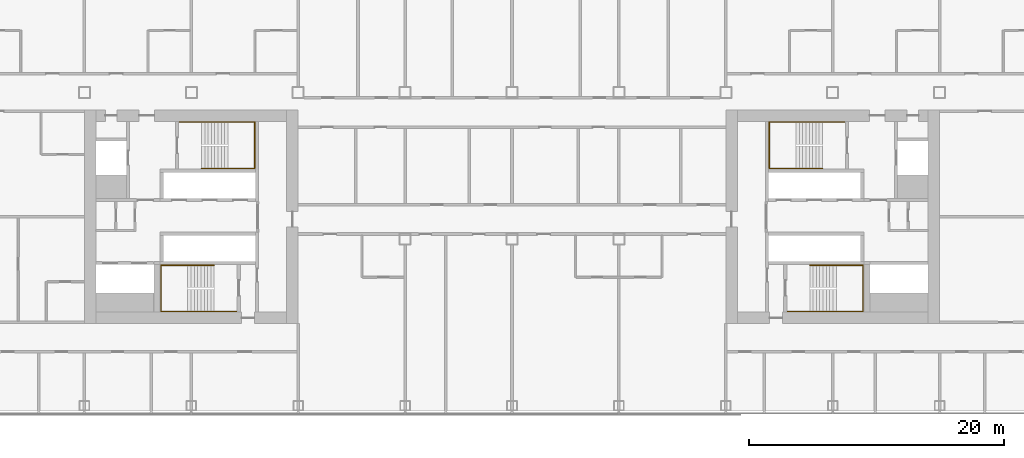
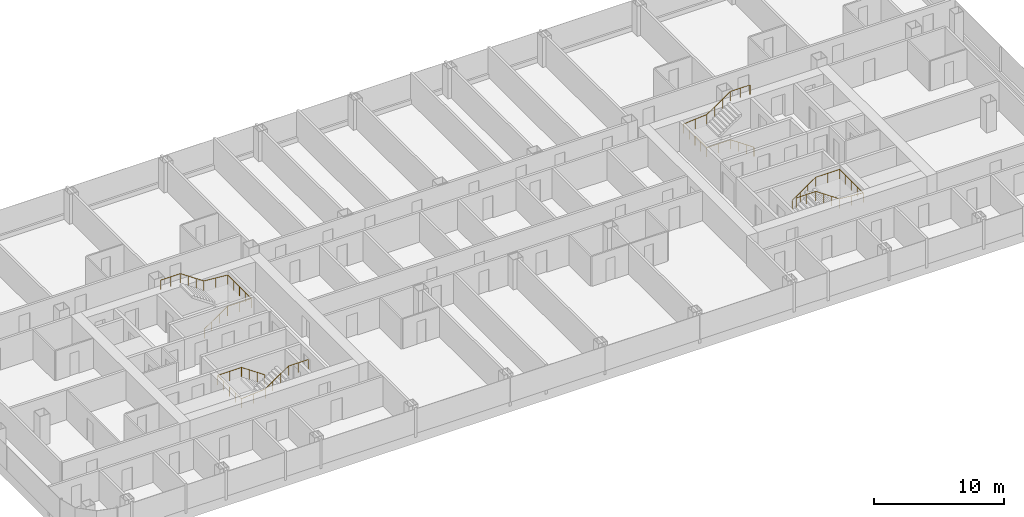
# One storey, part 29 of 29: 4 railings.
"""IFC4 building model written with IfcOpenShell, lengths in metres."""

from ifc_helpers import new_model, si_unit, direction, frame, origin, origin_2d, place, context, subcontext, project, spatial, circle, extrude, material, type_object, element, save


model = new_model("IFC4")

# Units and contexts
model_context = context("Model", 3, precision=1e-05, world=origin(), true_north=direction((0.0, 1.0)))
body_context = subcontext(model_context, "Body", "Model", "MODEL_VIEW")
ifc_project = project(units=[si_unit("LENGTHUNIT", "METRE"), si_unit("AREAUNIT", "SQUARE_METRE"), si_unit("VOLUMEUNIT", "CUBIC_METRE"), si_unit("PLANEANGLEUNIT", "RADIAN"), si_unit("MASSUNIT", "GRAM", prefix="KILO")], contexts=[model_context])

# Site, building, storey
site_placement = place(None, origin())
site = spatial("IfcSite", under=ifc_project, at=site_placement, CompositionType="ELEMENT")
building_placement = place(site_placement, origin())
building = spatial("IfcBuilding", under=site, at=building_placement, Name="Hakoniwa Tower and Hamabe Station Hall", CompositionType="ELEMENT")
storey_placement = place(building_placement, frame((0.0, 0.0, 91.39990234375)))
storey = spatial("IfcBuildingStorey", under=building, at=storey_placement, Name="L25", CompositionType="ELEMENT", Elevation=91.39990234375)

# Railings
ifc_material = material(Name="Stainless steel SUS304", Category="steel")
railing_type = type_object("IfcRailingType", Name="STAIR HANDRAIL 900", PredefinedType="HANDRAIL", material=ifc_material)
railing_1_placement = place(storey_placement, frame((-24.39990234375, 3.81005859375, 0.177978515625)))
element("IfcRailing", 1, at=railing_1_placement, inside=storey, type_object=railing_type, Name="Handrail ST-1 L25 1", PredefinedType="HANDRAIL", context=body_context, shape_type="SweptSolid", body=[
    extrude(circle(Radius=0.02392578125, at=origin_2d()), frame((0.0, 0.0, 0.8759765625), z_axis=(0.825478349766, 0.0, 0.564433781827), x_axis=(0.0, 1.0, 0.0)), (0.0, 0.0, 1.0), 2.51953125),
    extrude(circle(Radius=0.02392578125, at=origin_2d()), frame((2.079833984375, 0.0, 2.2978515625), z_axis=(1.0, 0.0, 0.0), x_axis=(0.0, 1.0, 0.0)), (0.0, 0.0, 1.0), 2.110107421875),
    extrude(circle(Radius=0.02392578125, at=origin_2d()), frame((4.18994140625, 0.0, 2.2978515625), z_axis=(0.0, 1.0, 0.0), x_axis=(-1.0, 0.0, 0.0)), (0.0, 0.0, 1.0), 3.6298828125),
    extrude(circle(Radius=0.02392578125, at=origin_2d()), frame((4.18994140625, 3.6298828125, 2.2978515625), z_axis=(-0.996471417081, 0.0, 0.083932800143), x_axis=(0.0, -1.0, 0.0)), (0.0, 0.0, 1.0), 2.11767578125),
    extrude(circle(Radius=0.02392578125, at=origin_2d()), frame((2.079833984375, 3.6298828125, 2.4755859375), z_axis=(-0.825433201882, 0.0, 0.564499804456), x_axis=(0.0, -1.0, 0.0)), (0.0, 0.0, 1.0), 2.519775390625),
    extrude(circle(Radius=0.02392578125, at=origin_2d()), frame((0.0, 3.6298828125, 3.89794921875), z_axis=(-1.0, 0.0, 0.0), x_axis=(0.0, -1.0, 0.0)), (0.0, 0.0, 1.0), 1.739990234375),
    extrude(circle(Radius=0.02099609375, at=origin_2d()), origin(), (0.0, 0.0, 1.0), 0.851806640625),
    extrude(circle(Radius=0.02099609375, at=origin_2d()), frame((0.693359375, 0.0, 0.47412109375)), (0.0, 0.0, 1.0), 0.851806640625),
    extrude(circle(Radius=0.02099609375, at=origin_2d()), frame((1.386474609375, 0.0, 0.947998046875)), (0.0, 0.0, 1.0), 0.851806640625),
    extrude(circle(Radius=0.02099609375, at=origin_2d()), frame((2.079833984375, 0.0, 1.422119140625)), (0.0, 0.0, 1.0), 0.851806640625),
    extrude(circle(Radius=0.02099609375, at=origin_2d()), frame((3.134765625, 0.0, 1.422119140625)), (0.0, 0.0, 1.0), 0.851806640625),
    extrude(circle(Radius=0.02099609375, at=origin_2d()), frame((4.18994140625, 0.0, 1.422119140625)), (0.0, 0.0, 1.0), 0.851806640625),
    extrude(circle(Radius=0.02099609375, at=origin_2d()), frame((4.18994140625, 0.907470703125, 1.422119140625)), (0.0, 0.0, 1.0), 0.851806640625),
    extrude(circle(Radius=0.02099609375, at=origin_2d()), frame((4.18994140625, 1.81494140625, 1.422119140625)), (0.0, 0.0, 1.0), 0.851806640625),
    extrude(circle(Radius=0.02099609375, at=origin_2d()), frame((4.18994140625, 2.722412109375, 1.422119140625)), (0.0, 0.0, 1.0), 0.851806640625),
    extrude(circle(Radius=0.02099609375, at=origin_2d()), frame((4.18994140625, 3.6298828125, 1.422119140625)), (0.0, 0.0, 1.0), 0.851806640625),
    extrude(circle(Radius=0.02099609375, at=origin_2d()), frame((3.134765625, 3.6298828125, 1.510986328125)), (0.0, 0.0, 1.0), 0.851806640625),
    extrude(circle(Radius=0.02099609375, at=origin_2d()), frame((2.079833984375, 3.6298828125, 1.599853515625)), (0.0, 0.0, 1.0), 0.851806640625),
    extrude(circle(Radius=0.02099609375, at=origin_2d()), frame((1.386474609375, 3.6298828125, 2.073974609375)), (0.0, 0.0, 1.0), 0.851806640625),
    extrude(circle(Radius=0.02099609375, at=origin_2d()), frame((0.693359375, 3.6298828125, 2.548095703125)), (0.0, 0.0, 1.0), 0.851806640625),
    extrude(circle(Radius=0.02099609375, at=origin_2d()), frame((0.0, 3.6298828125, 3.022216796875)), (0.0, 0.0, 1.0), 0.851806640625),
    extrude(circle(Radius=0.02099609375, at=origin_2d()), frame((-0.8701171875, 3.6298828125, 3.022216796875)), (0.0, 0.0, 1.0), 0.851806640625),
    extrude(circle(Radius=0.02099609375, at=origin_2d()), frame((-1.739990234375, 3.6298828125, 3.022216796875)), (0.0, 0.0, 1.0), 0.851806640625),
])
railing_2_placement = place(storey_placement, frame((-23.39990234375, -3.81005859375, 0.177978515625)))
element("IfcRailing", 2, at=railing_2_placement, inside=storey, type_object=railing_type, Name="Handrail ST-2 L25 1", PredefinedType="HANDRAIL", context=body_context, shape_type="SweptSolid", body=[
    extrude(circle(Radius=0.02392578125, at=origin_2d()), frame((0.0, 0.0, 0.8759765625), z_axis=(-0.82550921652, 0.0, 0.564388636881), x_axis=(0.0, -1.0, 0.0)), (0.0, 0.0, 1.0), 2.519775390625),
    extrude(circle(Radius=0.02392578125, at=origin_2d()), frame((-2.080078125, 0.0, 2.2978515625), z_axis=(-1.0, 0.0, 0.0), x_axis=(0.0, -1.0, 0.0)), (0.0, 0.0, 1.0), 2.110107421875),
    extrude(circle(Radius=0.02392578125, at=origin_2d()), frame((-4.190185546875, 0.0, 2.2978515625), z_axis=(0.0, -1.0, 0.0), x_axis=(1.0, 0.0, 0.0)), (0.0, 0.0, 1.0), 3.6298828125),
    extrude(circle(Radius=0.02392578125, at=origin_2d()), frame((-4.190185546875, -3.6298828125, 2.2978515625), z_axis=(0.996471417081, 0.0, 0.083932800143), x_axis=(0.0, 1.0, 0.0)), (0.0, 0.0, 1.0), 2.11767578125),
    extrude(circle(Radius=0.02392578125, at=origin_2d()), frame((-2.080078125, -3.6298828125, 2.4755859375), z_axis=(0.825464074169, 0.0, 0.564454659168), x_axis=(0.0, 1.0, 0.0)), (0.0, 0.0, 1.0), 2.519775390625),
    extrude(circle(Radius=0.02392578125, at=origin_2d()), frame((0.0, -3.6298828125, 3.89794921875), z_axis=(1.0, 0.0, 0.0), x_axis=(0.0, 1.0, 0.0)), (0.0, 0.0, 1.0), 1.739990234375),
    extrude(circle(Radius=0.02099609375, at=origin_2d()), origin(), (0.0, 0.0, 1.0), 0.851806640625),
    extrude(circle(Radius=0.02099609375, at=origin_2d()), frame((-0.693359375, 0.0, 0.47412109375)), (0.0, 0.0, 1.0), 0.851806640625),
    extrude(circle(Radius=0.02099609375, at=origin_2d()), frame((-1.38671875, 0.0, 0.947998046875)), (0.0, 0.0, 1.0), 0.851806640625),
    extrude(circle(Radius=0.02099609375, at=origin_2d()), frame((-2.080078125, 0.0, 1.422119140625)), (0.0, 0.0, 1.0), 0.851806640625),
    extrude(circle(Radius=0.02099609375, at=origin_2d()), frame((-3.13525390625, 0.0, 1.422119140625)), (0.0, 0.0, 1.0), 0.851806640625),
    extrude(circle(Radius=0.02099609375, at=origin_2d()), frame((-4.190185546875, 0.0, 1.422119140625)), (0.0, 0.0, 1.0), 0.851806640625),
    extrude(circle(Radius=0.02099609375, at=origin_2d()), frame((-4.190185546875, -0.907470703125, 1.422119140625)), (0.0, 0.0, 1.0), 0.851806640625),
    extrude(circle(Radius=0.02099609375, at=origin_2d()), frame((-4.190185546875, -1.81494140625, 1.422119140625)), (0.0, 0.0, 1.0), 0.851806640625),
    extrude(circle(Radius=0.02099609375, at=origin_2d()), frame((-4.190185546875, -2.722412109375, 1.422119140625)), (0.0, 0.0, 1.0), 0.851806640625),
    extrude(circle(Radius=0.02099609375, at=origin_2d()), frame((-4.190185546875, -3.6298828125, 1.422119140625)), (0.0, 0.0, 1.0), 0.851806640625),
    extrude(circle(Radius=0.02099609375, at=origin_2d()), frame((-3.13525390625, -3.6298828125, 1.510986328125)), (0.0, 0.0, 1.0), 0.851806640625),
    extrude(circle(Radius=0.02099609375, at=origin_2d()), frame((-2.080078125, -3.6298828125, 1.599853515625)), (0.0, 0.0, 1.0), 0.851806640625),
    extrude(circle(Radius=0.02099609375, at=origin_2d()), frame((-1.38671875, -3.6298828125, 2.073974609375)), (0.0, 0.0, 1.0), 0.851806640625),
    extrude(circle(Radius=0.02099609375, at=origin_2d()), frame((-0.693359375, -3.6298828125, 2.548095703125)), (0.0, 0.0, 1.0), 0.851806640625),
    extrude(circle(Radius=0.02099609375, at=origin_2d()), frame((0.0, -3.6298828125, 3.022216796875)), (0.0, 0.0, 1.0), 0.851806640625),
    extrude(circle(Radius=0.02099609375, at=origin_2d()), frame((0.8701171875, -3.6298828125, 3.022216796875)), (0.0, 0.0, 1.0), 0.851806640625),
    extrude(circle(Radius=0.02099609375, at=origin_2d()), frame((1.739990234375, -3.6298828125, 3.022216796875)), (0.0, 0.0, 1.0), 0.851806640625),
])
railing_3_placement = place(storey_placement, frame((24.39990234375, 3.81005859375, 0.177978515625)))
element("IfcRailing", 3, at=railing_3_placement, inside=storey, type_object=railing_type, Name="Handrail ST-3 L25 1", PredefinedType="HANDRAIL", context=body_context, shape_type="SweptSolid", body=[
    extrude(circle(Radius=0.02392578125, at=origin_2d()), frame((0.0, 0.0, 0.8759765625), z_axis=(-0.825478349766, 0.0, 0.564433781827), x_axis=(0.0, -1.0, 0.0)), (0.0, 0.0, 1.0), 2.51953125),
    extrude(circle(Radius=0.02392578125, at=origin_2d()), frame((-2.079833984375, 0.0, 2.2978515625), z_axis=(-1.0, 0.0, 0.0), x_axis=(0.0, -1.0, 0.0)), (0.0, 0.0, 1.0), 2.110107421875),
    extrude(circle(Radius=0.02392578125, at=origin_2d()), frame((-4.18994140625, 0.0, 2.2978515625), z_axis=(0.0, 1.0, 0.0), x_axis=(-1.0, 0.0, 0.0)), (0.0, 0.0, 1.0), 3.6298828125),
    extrude(circle(Radius=0.02392578125, at=origin_2d()), frame((-4.18994140625, 3.6298828125, 2.2978515625), z_axis=(0.996471417081, 0.0, 0.083932800143), x_axis=(0.0, 1.0, 0.0)), (0.0, 0.0, 1.0), 2.11767578125),
    extrude(circle(Radius=0.02392578125, at=origin_2d()), frame((-2.079833984375, 3.6298828125, 2.4755859375), z_axis=(0.825433201882, 0.0, 0.564499804456), x_axis=(0.0, 1.0, 0.0)), (0.0, 0.0, 1.0), 2.519775390625),
    extrude(circle(Radius=0.02392578125, at=origin_2d()), frame((0.0, 3.6298828125, 3.89794921875), z_axis=(1.0, 0.0, 0.0), x_axis=(0.0, 1.0, 0.0)), (0.0, 0.0, 1.0), 1.739990234375),
    extrude(circle(Radius=0.02099609375, at=origin_2d()), origin(), (0.0, 0.0, 1.0), 0.851806640625),
    extrude(circle(Radius=0.02099609375, at=origin_2d()), frame((-0.693359375, 0.0, 0.47412109375)), (0.0, 0.0, 1.0), 0.851806640625),
    extrude(circle(Radius=0.02099609375, at=origin_2d()), frame((-1.386474609375, 0.0, 0.947998046875)), (0.0, 0.0, 1.0), 0.851806640625),
    extrude(circle(Radius=0.02099609375, at=origin_2d()), frame((-2.079833984375, 0.0, 1.422119140625)), (0.0, 0.0, 1.0), 0.851806640625),
    extrude(circle(Radius=0.02099609375, at=origin_2d()), frame((-3.134765625, 0.0, 1.422119140625)), (0.0, 0.0, 1.0), 0.851806640625),
    extrude(circle(Radius=0.02099609375, at=origin_2d()), frame((-4.18994140625, 0.0, 1.422119140625)), (0.0, 0.0, 1.0), 0.851806640625),
    extrude(circle(Radius=0.02099609375, at=origin_2d()), frame((-4.18994140625, 0.907470703125, 1.422119140625)), (0.0, 0.0, 1.0), 0.851806640625),
    extrude(circle(Radius=0.02099609375, at=origin_2d()), frame((-4.18994140625, 1.81494140625, 1.422119140625)), (0.0, 0.0, 1.0), 0.851806640625),
    extrude(circle(Radius=0.02099609375, at=origin_2d()), frame((-4.18994140625, 2.722412109375, 1.422119140625)), (0.0, 0.0, 1.0), 0.851806640625),
    extrude(circle(Radius=0.02099609375, at=origin_2d()), frame((-4.18994140625, 3.6298828125, 1.422119140625)), (0.0, 0.0, 1.0), 0.851806640625),
    extrude(circle(Radius=0.02099609375, at=origin_2d()), frame((-3.134765625, 3.6298828125, 1.510986328125)), (0.0, 0.0, 1.0), 0.851806640625),
    extrude(circle(Radius=0.02099609375, at=origin_2d()), frame((-2.079833984375, 3.6298828125, 1.599853515625)), (0.0, 0.0, 1.0), 0.851806640625),
    extrude(circle(Radius=0.02099609375, at=origin_2d()), frame((-1.386474609375, 3.6298828125, 2.073974609375)), (0.0, 0.0, 1.0), 0.851806640625),
    extrude(circle(Radius=0.02099609375, at=origin_2d()), frame((-0.693359375, 3.6298828125, 2.548095703125)), (0.0, 0.0, 1.0), 0.851806640625),
    extrude(circle(Radius=0.02099609375, at=origin_2d()), frame((0.0, 3.6298828125, 3.022216796875)), (0.0, 0.0, 1.0), 0.851806640625),
    extrude(circle(Radius=0.02099609375, at=origin_2d()), frame((0.8701171875, 3.6298828125, 3.022216796875)), (0.0, 0.0, 1.0), 0.851806640625),
    extrude(circle(Radius=0.02099609375, at=origin_2d()), frame((1.739990234375, 3.6298828125, 3.022216796875)), (0.0, 0.0, 1.0), 0.851806640625),
])
railing_4_placement = place(storey_placement, frame((23.39990234375, -3.81005859375, 0.177978515625)))
element("IfcRailing", 4, at=railing_4_placement, inside=storey, type_object=railing_type, Name="Handrail ST-4 L25 1", PredefinedType="HANDRAIL", context=body_context, shape_type="SweptSolid", body=[
    extrude(circle(Radius=0.02392578125, at=origin_2d()), frame((0.0, 0.0, 0.8759765625), z_axis=(0.82550921652, 0.0, 0.564388636881), x_axis=(0.0, 1.0, 0.0)), (0.0, 0.0, 1.0), 2.519775390625),
    extrude(circle(Radius=0.02392578125, at=origin_2d()), frame((2.080078125, 0.0, 2.2978515625), z_axis=(1.0, 0.0, 0.0), x_axis=(0.0, 1.0, 0.0)), (0.0, 0.0, 1.0), 2.110107421875),
    extrude(circle(Radius=0.02392578125, at=origin_2d()), frame((4.190185546875, 0.0, 2.2978515625), z_axis=(0.0, -1.0, 0.0), x_axis=(1.0, 0.0, 0.0)), (0.0, 0.0, 1.0), 3.6298828125),
    extrude(circle(Radius=0.02392578125, at=origin_2d()), frame((4.190185546875, -3.6298828125, 2.2978515625), z_axis=(-0.996471417081, 0.0, 0.083932800143), x_axis=(0.0, -1.0, 0.0)), (0.0, 0.0, 1.0), 2.11767578125),
    extrude(circle(Radius=0.02392578125, at=origin_2d()), frame((2.080078125, -3.6298828125, 2.4755859375), z_axis=(-0.825464074169, 0.0, 0.564454659168), x_axis=(0.0, -1.0, 0.0)), (0.0, 0.0, 1.0), 2.519775390625),
    extrude(circle(Radius=0.02392578125, at=origin_2d()), frame((0.0, -3.6298828125, 3.89794921875), z_axis=(-1.0, 0.0, 0.0), x_axis=(0.0, -1.0, 0.0)), (0.0, 0.0, 1.0), 1.739990234375),
    extrude(circle(Radius=0.02099609375, at=origin_2d()), origin(), (0.0, 0.0, 1.0), 0.851806640625),
    extrude(circle(Radius=0.02099609375, at=origin_2d()), frame((0.693359375, 0.0, 0.47412109375)), (0.0, 0.0, 1.0), 0.851806640625),
    extrude(circle(Radius=0.02099609375, at=origin_2d()), frame((1.38671875, 0.0, 0.947998046875)), (0.0, 0.0, 1.0), 0.851806640625),
    extrude(circle(Radius=0.02099609375, at=origin_2d()), frame((2.080078125, 0.0, 1.422119140625)), (0.0, 0.0, 1.0), 0.851806640625),
    extrude(circle(Radius=0.02099609375, at=origin_2d()), frame((3.13525390625, 0.0, 1.422119140625)), (0.0, 0.0, 1.0), 0.851806640625),
    extrude(circle(Radius=0.02099609375, at=origin_2d()), frame((4.190185546875, 0.0, 1.422119140625)), (0.0, 0.0, 1.0), 0.851806640625),
    extrude(circle(Radius=0.02099609375, at=origin_2d()), frame((4.190185546875, -0.907470703125, 1.422119140625)), (0.0, 0.0, 1.0), 0.851806640625),
    extrude(circle(Radius=0.02099609375, at=origin_2d()), frame((4.190185546875, -1.81494140625, 1.422119140625)), (0.0, 0.0, 1.0), 0.851806640625),
    extrude(circle(Radius=0.02099609375, at=origin_2d()), frame((4.190185546875, -2.722412109375, 1.422119140625)), (0.0, 0.0, 1.0), 0.851806640625),
    extrude(circle(Radius=0.02099609375, at=origin_2d()), frame((4.190185546875, -3.6298828125, 1.422119140625)), (0.0, 0.0, 1.0), 0.851806640625),
    extrude(circle(Radius=0.02099609375, at=origin_2d()), frame((3.13525390625, -3.6298828125, 1.510986328125)), (0.0, 0.0, 1.0), 0.851806640625),
    extrude(circle(Radius=0.02099609375, at=origin_2d()), frame((2.080078125, -3.6298828125, 1.599853515625)), (0.0, 0.0, 1.0), 0.851806640625),
    extrude(circle(Radius=0.02099609375, at=origin_2d()), frame((1.38671875, -3.6298828125, 2.073974609375)), (0.0, 0.0, 1.0), 0.851806640625),
    extrude(circle(Radius=0.02099609375, at=origin_2d()), frame((0.693359375, -3.6298828125, 2.548095703125)), (0.0, 0.0, 1.0), 0.851806640625),
    extrude(circle(Radius=0.02099609375, at=origin_2d()), frame((0.0, -3.6298828125, 3.022216796875)), (0.0, 0.0, 1.0), 0.851806640625),
    extrude(circle(Radius=0.02099609375, at=origin_2d()), frame((-0.8701171875, -3.6298828125, 3.022216796875)), (0.0, 0.0, 1.0), 0.851806640625),
    extrude(circle(Radius=0.02099609375, at=origin_2d()), frame((-1.739990234375, -3.6298828125, 3.022216796875)), (0.0, 0.0, 1.0), 0.851806640625),
])

save(model, "model.ifc")
